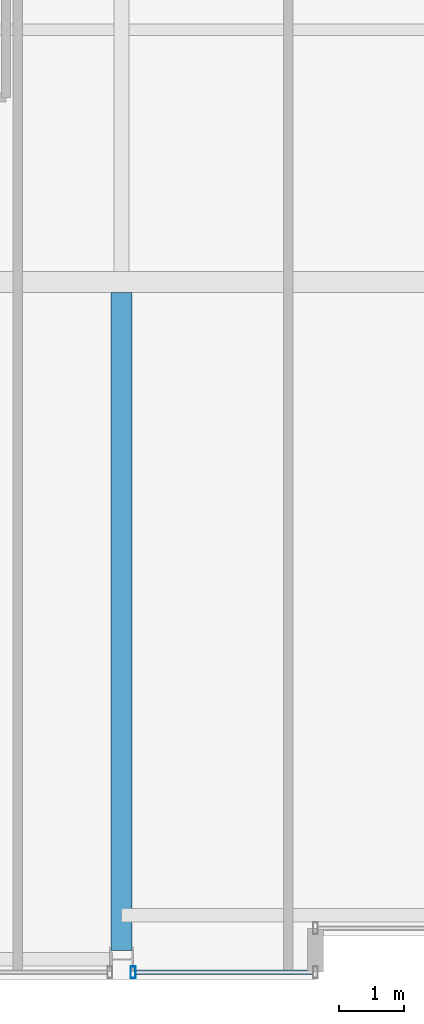
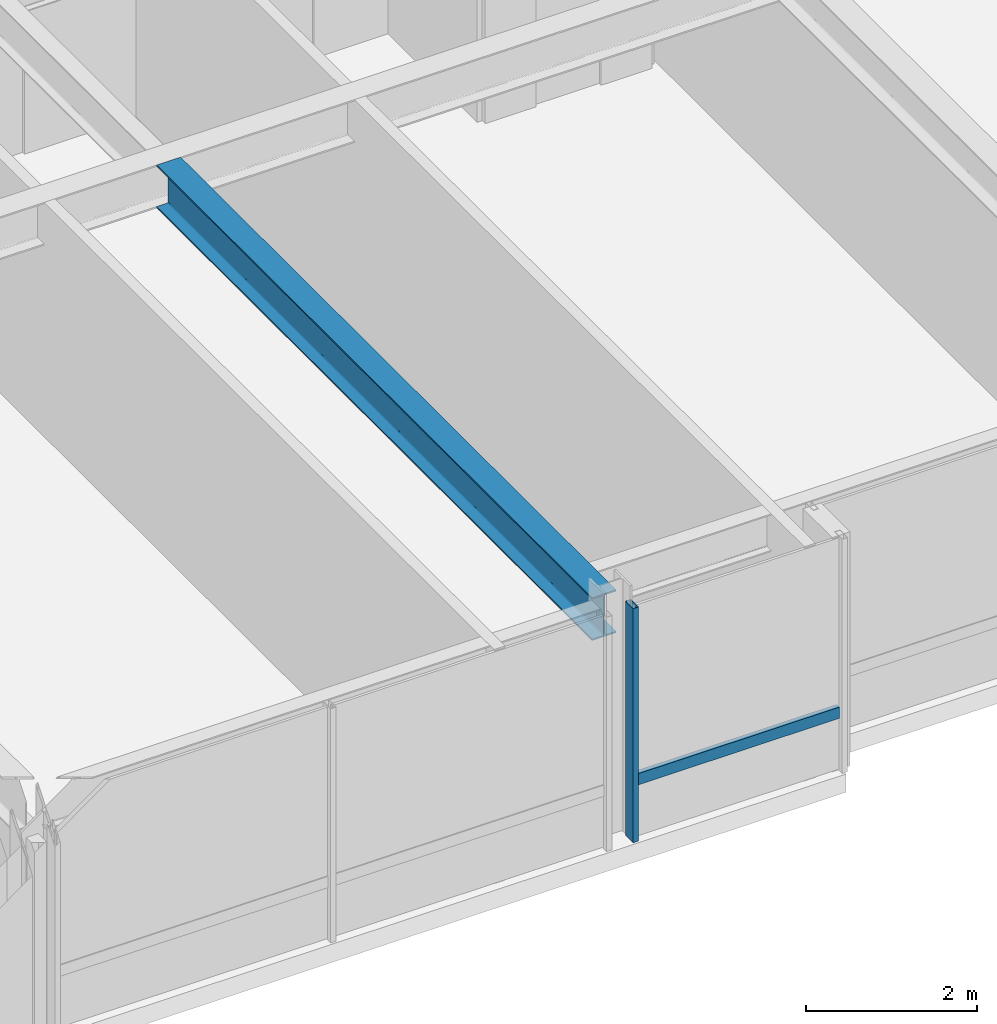
# One storey, part 4 of 33: 2 members, 1 beam, 1 element without a shape of its own.
"""IFC4 building model written with IfcOpenShell, lengths in metres."""

from ifc_helpers import new_model, si_unit, direction, frame, origin, origin_2d, place, context, subcontext, project, spatial, hollow_rectangle, i_section, extrude, material, layer, layer_set, material_profile, profile_set, type_object, element, aggregate, save


model = new_model("IFC4")

# Units and contexts
model_context = context("Model", 3, precision=1e-05, world=origin(), true_north=direction((0.0, 1.0)))
body_context = subcontext(model_context, "Body", "Model", "MODEL_VIEW")
ifc_project = project(units=[si_unit("LENGTHUNIT", "METRE"), si_unit("AREAUNIT", "SQUARE_METRE"), si_unit("VOLUMEUNIT", "CUBIC_METRE"), si_unit("PLANEANGLEUNIT", "RADIAN"), si_unit("MASSUNIT", "GRAM", prefix="KILO")], contexts=[model_context])

# Site, building, storey
site_placement = place(None, origin())
site = spatial("IfcSite", under=ifc_project, at=site_placement, CompositionType="ELEMENT")
building_placement = place(site_placement, origin())
building = spatial("IfcBuilding", under=site, at=building_placement, Name="Drelvath Grand Hotel", CompositionType="ELEMENT")
storey_placement = place(building_placement, frame((0.0, 0.0, 248.300048828125)))
storey = spatial("IfcBuildingStorey", under=building, at=storey_placement, Name="L65", CompositionType="ELEMENT", Elevation=248.300048828125)

# Curtain wall, members
ifc_material_1 = material(Name="Platinum-Mist Anodised Aluminium Frame", Category="aluminium")
ifc_layer = layer(ifc_material_1, 0.199951171875)
ifc_layer_set = layer_set([ifc_layer], Name="Platinum-Mist Anodised Aluminium Frame")
curtain_wall_type = type_object("IfcCurtainWallType", Name="Stick Curtain Wall CW-05 Platinum Mist High-Rise", PredefinedType="NOTDEFINED", material=ifc_layer_set)
curtain_wall_placement = place(storey_placement, origin())
curtain_wall = element("IfcCurtainWall", 1, at=curtain_wall_placement, inside=storey, type_object=curtain_wall_type, Name="L65 CW-05 Curtain Wall CW05-L65-SW3", PredefinedType="NOTDEFINED")
ifc_material_profile_1 = material_profile(ifc_material_1, hollow_rectangle(XDim=0.06494140625, YDim=0.159912109375, WallThickness=0.00390625, at=origin_2d()), Name="HSS160X65X4")
ifc_profile_set_1 = profile_set([ifc_material_profile_1], Name="Platinum-Mist Anodised Aluminium Frame")
member_type_1 = type_object("IfcMemberType", Name="Curtain Wall Horizontal Transom CW-05 HSS160X65X4", PredefinedType="USERDEFINED", material=ifc_profile_set_1)
member_1_placement = place(storey_placement, frame((-5.43994140625, 0.1201171875, 0.8349609375), z_axis=(-1.0, 0.0, 0.0), x_axis=(0.0, -1.0, 0.0)))
member_1 = element("IfcMember", 2, at=member_1_placement, type_object=member_type_1, Name="CW05-L65-SW3 Sill Transom", ObjectType="TRANSOM", PredefinedType="USERDEFINED", context=body_context, shape_type="SweptSolid", body=[
    extrude(hollow_rectangle(XDim=0.06494140625, YDim=0.159912109375, WallThickness=0.00390625, at=origin_2d()), origin(), (0.0, 0.0, 1.0), 2.741943359375),
])
ifc_material_profile_2 = material_profile(ifc_material_1, hollow_rectangle(XDim=0.074951171875, YDim=0.179931640625, WallThickness=0.0048828125, at=origin_2d()), Name="HSS180X75X5")
ifc_profile_set_2 = profile_set([ifc_material_profile_2], Name="Platinum-Mist Anodised Aluminium Frame")
member_type_2 = type_object("IfcMemberType", Name="Curtain Wall Vertical Mullion CW-05 HSS180X75X5", PredefinedType="MULLION", material=ifc_profile_set_2)
member_2_placement = place(storey_placement, frame((-8.2216796875, 0.1201171875, 0.0), z_axis=(0.0, 0.0, 1.0), x_axis=(1.0, 0.0, 0.0)))
member_2 = element("IfcMember", 3, at=member_2_placement, type_object=member_type_2, Name="CW05-L65-SW3 Mullion 2", PredefinedType="MULLION", context=body_context, shape_type="SweptSolid", body=[
    extrude(hollow_rectangle(XDim=0.074951171875, YDim=0.179931640625, WallThickness=0.0048828125, at=origin_2d()), origin(), (0.0, 0.0, 1.0), 3.33984375),
])
aggregate(curtain_wall, [member_2, member_1])

# Beam
ifc_material_2 = material(Name="Steel ASTM A992 Gr 50", Category="steel")
ifc_material_profile_3 = material_profile(ifc_material_2, i_section(OverallWidth=0.323974609375, OverallDepth=0.611083984375, WebThickness=0.0126953125, FlangeThickness=0.01904296875, FilletRadius=0.02197265625, at=origin_2d()), Name="W24X104")
ifc_profile_set_3 = profile_set([ifc_material_profile_3], Name="Steel ASTM A992 Gr 50")
beam_type = type_object("IfcBeamType", Name="Primary Floor Girder W24X104", PredefinedType="BEAM", material=ifc_profile_set_3)
beam_placement = place(storey_placement, frame((-8.39990234375, 0.4599609375, 3.034423828125), z_axis=(0.0, 1.0, 0.0), x_axis=(-1.0, 0.0, 0.0)))
element("IfcBeam", 4, at=beam_placement, inside=storey, type_object=beam_type, Name="L65 South Wing Girder 4", PredefinedType="BEAM", context=body_context, shape_type="SweptSolid", body=[
    extrude(i_section(OverallWidth=0.323974609375, OverallDepth=0.611083984375, WebThickness=0.0126953125, FlangeThickness=0.01904296875, FilletRadius=0.02197265625, at=origin_2d()), origin(), (0.0, 0.0, 1.0), 10.177978515625),
])

save(model, "model.ifc")
